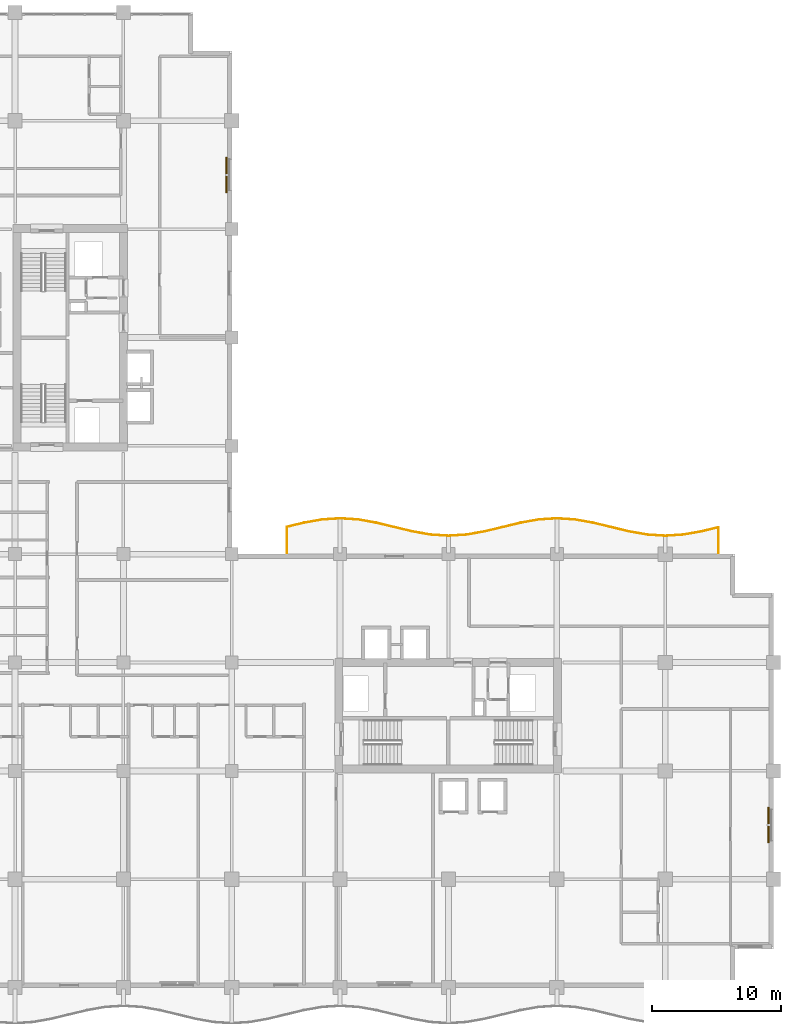
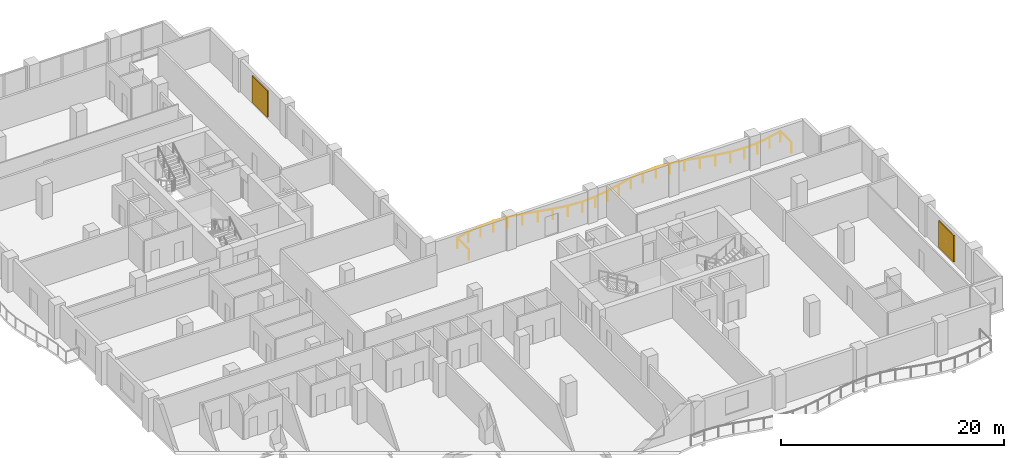
# One storey, part 19 of 19: 2 shading devices, 1 railing.
"""IFC4 building model written with IfcOpenShell, lengths in metres."""

from ifc_helpers import new_model, si_unit, direction, frame, origin, origin_2d, place, context, subcontext, project, spatial, rectangle, circle, extrude, material, layer, layer_set, type_object, element, save


model = new_model("IFC4")

# Units and contexts
model_context = context("Model", 3, precision=1e-05, world=origin(), true_north=direction((0.0, 1.0)))
body_context = subcontext(model_context, "Body", "Model", "MODEL_VIEW")
ifc_project = project(units=[si_unit("LENGTHUNIT", "METRE"), si_unit("AREAUNIT", "SQUARE_METRE"), si_unit("VOLUMEUNIT", "CUBIC_METRE"), si_unit("PLANEANGLEUNIT", "RADIAN"), si_unit("MASSUNIT", "GRAM", prefix="KILO")], contexts=[model_context])

# Site, building, storey
site_placement = place(None, origin())
site = spatial("IfcSite", under=ifc_project, at=site_placement, CompositionType="ELEMENT")
building_placement = place(site_placement, origin())
building = spatial("IfcBuilding", under=site, at=building_placement, Name="Koriwani Terraces Tower", CompositionType="ELEMENT")
storey_placement = place(building_placement, frame((0.0, 0.0, 190.199951171875)))
storey = spatial("IfcBuildingStorey", under=building, at=storey_placement, Name="L46", CompositionType="ELEMENT", Elevation=190.199951171875)

# Railing
ifc_material_1 = material(Name="Steel ASTM A572 Grade 50", Category="steel")
railing_type = type_object("IfcRailingType", Name="GUARD_BALUSTRADE_1150", PredefinedType="BALUSTRADE", material=ifc_material_1)
railing_placement = place(storey_placement, frame((71.320068359375, 33.679931640625, 0.0)))
element("IfcRailing", 1, at=railing_placement, inside=storey, type_object=railing_type, Name="L46 Balcony Perimeter Safety Balustrade (NE)", PredefinedType="BALUSTRADE", context=body_context, shape_type="SweptSolid", body=[
    extrude(circle(Radius=0.02392578125, at=origin_2d()), frame((0.0, 0.0, 1.1259765625), z_axis=(0.0, 1.0, 0.0), x_axis=(-1.0, 0.0, 0.0)), (0.0, 0.0, 1.0), 1.993408203125),
    extrude(circle(Radius=0.02392578125, at=origin_2d()), frame((0.0, 1.993408203125, 1.1259765625), z_axis=(-0.972163766848, -0.234302390999, 0.0), x_axis=(0.234302390999, -0.972163766848, 0.0)), (0.0, 0.0, 1.0), 1.341064453125),
    extrude(circle(Radius=0.02392578125, at=origin_2d()), frame((-1.3037109375, 1.67919921875, 1.1259765625), z_axis=(-0.984807637937, -0.173648830292, 0.0), x_axis=(0.173648830292, -0.984807637937, 0.0)), (0.0, 0.0, 1.0), 1.428466796875),
    extrude(circle(Radius=0.02392578125, at=origin_2d()), frame((-2.71044921875, 1.43115234375, 1.1259765625), z_axis=(-0.997931036226, -0.064293443969, 0.0), x_axis=(0.064293443969, -0.997931036226, 0.0)), (0.0, 0.0, 1.0), 1.41259765625),
    extrude(circle(Radius=0.02392578125, at=origin_2d()), frame((-4.1201171875, 1.34033203125, 1.1259765625), z_axis=(-0.997930321615, 0.064304534842, 0.0), x_axis=(-0.064304534842, -0.997930321615, 0.0)), (0.0, 0.0, 1.0), 1.412353515625),
    extrude(circle(Radius=0.02392578125, at=origin_2d()), frame((-5.529541015625, 1.43115234375, 1.1259765625), z_axis=(-0.984807637937, 0.173648830292, 0.0), x_axis=(-0.173648830292, -0.984807637937, 0.0)), (0.0, 0.0, 1.0), 1.428466796875),
    extrude(circle(Radius=0.02392578125, at=origin_2d()), frame((-6.936279296875, 1.67919921875, 1.1259765625), z_axis=(-0.972147505112, 0.234369853661, 0.0), x_axis=(-0.234369853661, -0.972147505112, 0.0)), (0.0, 0.0, 1.0), 2.88037109375),
    extrude(circle(Radius=0.02392578125, at=origin_2d()), frame((-9.736328125, 2.354248046875, 1.1259765625), z_axis=(-0.984787032938, 0.173765646078, 0.0), x_axis=(-0.173765646078, -0.984787032938, 0.0)), (0.0, 0.0, 1.0), 1.414794921875),
    extrude(circle(Radius=0.02392578125, at=origin_2d()), frame((-11.129638671875, 2.60009765625, 1.1259765625), z_axis=(-0.997918766852, 0.064483600738, 0.0), x_axis=(-0.064483600738, -0.997918766852, 0.0)), (0.0, 0.0, 1.0), 1.393310546875),
    extrude(circle(Radius=0.02392578125, at=origin_2d()), frame((-12.52001953125, 2.68994140625, 1.1259765625), z_axis=(-0.997918766852, -0.064483600738, 0.0), x_axis=(0.064483600738, -0.997918766852, 0.0)), (0.0, 0.0, 1.0), 1.393310546875),
    extrude(circle(Radius=0.02392578125, at=origin_2d()), frame((-13.910400390625, 2.60009765625, 1.1259765625), z_axis=(-0.984787032938, -0.173765646078, 0.0), x_axis=(0.173765646078, -0.984787032938, 0.0)), (0.0, 0.0, 1.0), 1.414794921875),
    extrude(circle(Radius=0.02392578125, at=origin_2d()), frame((-15.3037109375, 2.354248046875, 1.1259765625), z_axis=(-0.972147505112, -0.234369853661, 0.0), x_axis=(0.234369853661, -0.972147505112, 0.0)), (0.0, 0.0, 1.0), 2.88037109375),
    extrude(circle(Radius=0.02392578125, at=origin_2d()), frame((-18.103759765625, 1.67919921875, 1.1259765625), z_axis=(-0.984807637937, -0.173648830292, 0.0), x_axis=(0.173648830292, -0.984807637937, 0.0)), (0.0, 0.0, 1.0), 1.428466796875),
    extrude(circle(Radius=0.02392578125, at=origin_2d()), frame((-19.510498046875, 1.43115234375, 1.1259765625), z_axis=(-0.997931036226, -0.064293443969, 0.0), x_axis=(0.064293443969, -0.997931036226, 0.0)), (0.0, 0.0, 1.0), 1.41259765625),
    extrude(circle(Radius=0.02392578125, at=origin_2d()), frame((-20.920166015625, 1.34033203125, 1.1259765625), z_axis=(-0.997930321615, 0.064304534842, 0.0), x_axis=(-0.064304534842, -0.997930321615, 0.0)), (0.0, 0.0, 1.0), 1.412353515625),
    extrude(circle(Radius=0.02392578125, at=origin_2d()), frame((-22.32958984375, 1.43115234375, 1.1259765625), z_axis=(-0.984807637937, 0.173648830292, 0.0), x_axis=(-0.173648830292, -0.984807637937, 0.0)), (0.0, 0.0, 1.0), 1.428466796875),
    extrude(circle(Radius=0.02392578125, at=origin_2d()), frame((-23.736328125, 1.67919921875, 1.1259765625), z_axis=(-0.972147505112, 0.234369853661, 0.0), x_axis=(-0.234369853661, -0.972147505112, 0.0)), (0.0, 0.0, 1.0), 2.88037109375),
    extrude(circle(Radius=0.02392578125, at=origin_2d()), frame((-26.536376953125, 2.354248046875, 1.1259765625), z_axis=(-0.984787032938, 0.173765646078, 0.0), x_axis=(-0.173765646078, -0.984787032938, 0.0)), (0.0, 0.0, 1.0), 1.414794921875),
    extrude(circle(Radius=0.02392578125, at=origin_2d()), frame((-27.9296875, 2.60009765625, 1.1259765625), z_axis=(-0.997918766852, 0.064483600738, 0.0), x_axis=(-0.064483600738, -0.997918766852, 0.0)), (0.0, 0.0, 1.0), 1.393310546875),
    extrude(circle(Radius=0.02392578125, at=origin_2d()), frame((-29.320068359375, 2.68994140625, 1.1259765625), z_axis=(-0.997918766852, -0.064483600738, 0.0), x_axis=(0.064483600738, -0.997918766852, 0.0)), (0.0, 0.0, 1.0), 1.393310546875),
    extrude(circle(Radius=0.02392578125, at=origin_2d()), frame((-30.71044921875, 2.60009765625, 1.1259765625), z_axis=(-0.984787032938, -0.173765646078, 0.0), x_axis=(0.173765646078, -0.984787032938, 0.0)), (0.0, 0.0, 1.0), 1.414794921875),
    extrude(circle(Radius=0.02392578125, at=origin_2d()), frame((-32.103759765625, 2.354248046875, 1.1259765625), z_axis=(-0.972135261578, -0.234420633044, 0.0), x_axis=(0.234420633044, -0.972135261578, 0.0)), (0.0, 0.0, 1.0), 1.374755859375),
    extrude(circle(Radius=0.02392578125, at=origin_2d()), frame((-33.440185546875, 2.031982421875, 1.1259765625), z_axis=(0.0, -1.0, 0.0), x_axis=(1.0, 0.0, 0.0)), (0.0, 0.0, 1.0), 2.031982421875),
    extrude(circle(Radius=0.02099609375, at=origin_2d()), origin(), (0.0, 0.0, 1.0), 1.101806640625),
    extrude(circle(Radius=0.02099609375, at=origin_2d()), frame((0.0, 1.993408203125, 0.0)), (0.0, 0.0, 1.0), 1.101806640625),
    extrude(circle(Radius=0.02099609375, at=origin_2d()), frame((-1.3037109375, 1.67919921875, 0.0)), (0.0, 0.0, 1.0), 1.101806640625),
    extrude(circle(Radius=0.02099609375, at=origin_2d()), frame((-2.71044921875, 1.43115234375, 0.0)), (0.0, 0.0, 1.0), 1.101806640625),
    extrude(circle(Radius=0.02099609375, at=origin_2d()), frame((-4.1201171875, 1.34033203125, 0.0)), (0.0, 0.0, 1.0), 1.101806640625),
    extrude(circle(Radius=0.02099609375, at=origin_2d()), frame((-5.529541015625, 1.43115234375, 0.0)), (0.0, 0.0, 1.0), 1.101806640625),
    extrude(circle(Radius=0.02099609375, at=origin_2d()), frame((-6.936279296875, 1.67919921875, 0.0)), (0.0, 0.0, 1.0), 1.101806640625),
    extrude(circle(Radius=0.02099609375, at=origin_2d()), frame((-8.33642578125, 2.0166015625, 0.0)), (0.0, 0.0, 1.0), 1.101806640625),
    extrude(circle(Radius=0.02099609375, at=origin_2d()), frame((-9.736328125, 2.354248046875, 0.0)), (0.0, 0.0, 1.0), 1.101806640625),
    extrude(circle(Radius=0.02099609375, at=origin_2d()), frame((-11.129638671875, 2.60009765625, 0.0)), (0.0, 0.0, 1.0), 1.101806640625),
    extrude(circle(Radius=0.02099609375, at=origin_2d()), frame((-12.52001953125, 2.68994140625, 0.0)), (0.0, 0.0, 1.0), 1.101806640625),
    extrude(circle(Radius=0.02099609375, at=origin_2d()), frame((-13.910400390625, 2.60009765625, 0.0)), (0.0, 0.0, 1.0), 1.101806640625),
    extrude(circle(Radius=0.02099609375, at=origin_2d()), frame((-15.3037109375, 2.354248046875, 0.0)), (0.0, 0.0, 1.0), 1.101806640625),
    extrude(circle(Radius=0.02099609375, at=origin_2d()), frame((-16.70361328125, 2.0166015625, 0.0)), (0.0, 0.0, 1.0), 1.101806640625),
    extrude(circle(Radius=0.02099609375, at=origin_2d()), frame((-18.103759765625, 1.67919921875, 0.0)), (0.0, 0.0, 1.0), 1.101806640625),
    extrude(circle(Radius=0.02099609375, at=origin_2d()), frame((-19.510498046875, 1.43115234375, 0.0)), (0.0, 0.0, 1.0), 1.101806640625),
    extrude(circle(Radius=0.02099609375, at=origin_2d()), frame((-20.920166015625, 1.34033203125, 0.0)), (0.0, 0.0, 1.0), 1.101806640625),
    extrude(circle(Radius=0.02099609375, at=origin_2d()), frame((-22.32958984375, 1.43115234375, 0.0)), (0.0, 0.0, 1.0), 1.101806640625),
    extrude(circle(Radius=0.02099609375, at=origin_2d()), frame((-23.736328125, 1.67919921875, 0.0)), (0.0, 0.0, 1.0), 1.101806640625),
    extrude(circle(Radius=0.02099609375, at=origin_2d()), frame((-25.13623046875, 2.0166015625, 0.0)), (0.0, 0.0, 1.0), 1.101806640625),
    extrude(circle(Radius=0.02099609375, at=origin_2d()), frame((-26.536376953125, 2.354248046875, 0.0)), (0.0, 0.0, 1.0), 1.101806640625),
    extrude(circle(Radius=0.02099609375, at=origin_2d()), frame((-27.9296875, 2.60009765625, 0.0)), (0.0, 0.0, 1.0), 1.101806640625),
    extrude(circle(Radius=0.02099609375, at=origin_2d()), frame((-29.320068359375, 2.68994140625, 0.0)), (0.0, 0.0, 1.0), 1.101806640625),
    extrude(circle(Radius=0.02099609375, at=origin_2d()), frame((-30.71044921875, 2.60009765625, 0.0)), (0.0, 0.0, 1.0), 1.101806640625),
    extrude(circle(Radius=0.02099609375, at=origin_2d()), frame((-32.103759765625, 2.354248046875, 0.0)), (0.0, 0.0, 1.0), 1.101806640625),
    extrude(circle(Radius=0.02099609375, at=origin_2d()), frame((-33.440185546875, 2.031982421875, 0.0)), (0.0, 0.0, 1.0), 1.101806640625),
    extrude(circle(Radius=0.02099609375, at=origin_2d()), frame((-33.440185546875, 0.0, 0.0)), (0.0, 0.0, 1.0), 1.101806640625),
])

# Shading devices
ifc_material_2 = material(Name="Extruded Terracotta Clay", Category="masonry")
ifc_layer = layer(ifc_material_2, 0.1201171875, Name="Extruded Terracotta Clay")
ifc_layer_set = layer_set([ifc_layer], Name="Extruded Terracotta Clay")
shading_device_type = type_object("IfcShadingDeviceType", Name="TERRACOTTA_BAGUETTE_SCREEN_2800", PredefinedType="USERDEFINED", material=ifc_layer_set)
for number, where, z_axis, x_axis, name in (
    (2, (33.195068359375, 63.0, 0.28515625), (0.0, 0.0, 1.0), (0.0, -1.0, 0.0), "L46 Extruded Terracotta Baguette Screen (NW_IN-11)"),
    (3, (75.195068359375, 12.60009765625, 0.28515625), (0.0, 0.0, 1.0), (0.0, -1.0, 0.0), "L46 Extruded Terracotta Baguette Screen (E_TIP-3)"),
):
    element("IfcShadingDevice", number, at=place(storey_placement, frame(where, z_axis=z_axis, x_axis=x_axis)), inside=storey, type_object=shading_device_type, Name=name, ObjectType="BAGUETTE", PredefinedType="USERDEFINED", context=body_context, shape_type="SweptSolid", body=[
        extrude(rectangle(XDim=2.760009765625, YDim=0.1201171875, at=origin_2d()), origin(), (0.0, 0.0, 1.0), 2.89990234375),
    ])

save(model, "model.ifc")
